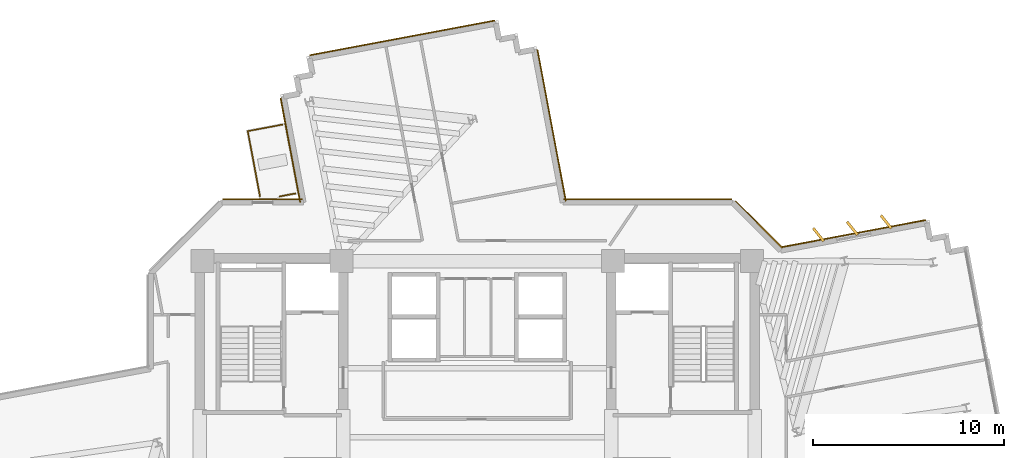
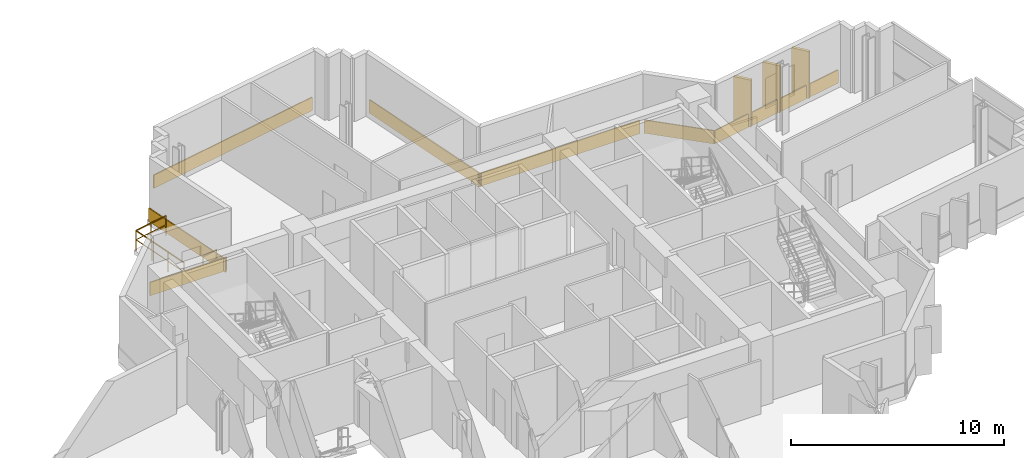
# One storey, part 16 of 16: 10 coverings, 3 railings.
"""IFC4 building model written with IfcOpenShell, lengths in metres."""

from ifc_helpers import new_model, si_unit, direction, frame, origin, origin_2d, place, context, subcontext, project, spatial, rectangle, extrude, source, transform, mapped, material, layer, layer_set, type_object, element, save


model = new_model("IFC4")

# Units and contexts
model_context = context("Model", 3, precision=1e-05, world=origin(), true_north=direction((0.0, 1.0)))
body_context = subcontext(model_context, "Body", "Model", "MODEL_VIEW")
ifc_project = project(units=[si_unit("LENGTHUNIT", "METRE"), si_unit("AREAUNIT", "SQUARE_METRE"), si_unit("VOLUMEUNIT", "CUBIC_METRE"), si_unit("PLANEANGLEUNIT", "RADIAN"), si_unit("MASSUNIT", "GRAM", prefix="KILO")], contexts=[model_context])

# Site, building, storey
site_placement = place(None, origin())
site = spatial("IfcSite", under=ifc_project, at=site_placement, CompositionType="ELEMENT")
building_placement = place(site_placement, origin())
building = spatial("IfcBuilding", under=site, at=building_placement, Name="Zahravan Cultural Tower", CompositionType="ELEMENT")
storey_placement = place(building_placement, frame((0.0, 0.0, 155.10009765625)))
storey = spatial("IfcBuildingStorey", under=building, at=storey_placement, Name="L35", CompositionType="ELEMENT", Elevation=155.10009765625)

# Railings
ifc_material_1 = material(Name="Steel ASTM A572 Grade 50", Category="steel")
railing_type = type_object("IfcRailingType", Name="RL-BAL-1150", PredefinedType="BALUSTRADE", material=ifc_material_1)
railing_1_placement = place(storey_placement, frame((24.01123046875, 42.9912109375, 0.0)))
element("IfcRailing", 1, at=railing_1_placement, inside=storey, type_object=railing_type, Name="L35 Edge Balustrade GRD-TR-L35-NW-01", PredefinedType="BALUSTRADE", context=body_context, shape_type="SweptSolid", body=[
    extrude(rectangle(XDim=0.05, YDim=0.05, at=origin_2d()), frame((0.0, 0.0, 1.125), z_axis=(0.98278843224, 0.184734667714, 0.0), x_axis=(-0.184734667714, 0.98278843224, 0.0)), (0.0, 0.0, 1.0), 1.85009765625),
    extrude(rectangle(XDim=0.032, YDim=0.032, at=origin_2d()), frame((0.0, 0.0, 0.597900390625), z_axis=(0.98278843224, 0.184734667714, 0.0), x_axis=(-0.184734667714, 0.98278843224, 0.0)), (0.0, 0.0, 1.0), 1.85009765625),
    extrude(rectangle(XDim=0.04, YDim=0.04, at=origin_2d()), origin(), (0.0, 0.0, 1.0), 1.14990234375),
    extrude(rectangle(XDim=0.04, YDim=0.04, at=origin_2d()), frame((0.9091796875, 0.1708984375, 0.0)), (0.0, 0.0, 1.0), 1.14990234375),
    extrude(rectangle(XDim=0.04, YDim=0.04, at=origin_2d()), frame((1.818359375, 0.341796875, 0.0)), (0.0, 0.0, 1.0), 1.14990234375),
])
railing_2_placement = place(storey_placement, frame((26.505126953125, 39.73583984375, 0.0)))
element("IfcRailing", 2, at=railing_2_placement, inside=storey, type_object=railing_type, Name="L35 Edge Balustrade GRD-TR-L35-NW-02", PredefinedType="BALUSTRADE", context=body_context, shape_type="SweptSolid", body=[
    extrude(rectangle(XDim=0.05, YDim=0.05, at=origin_2d()), frame((0.0, 0.0, 1.125), z_axis=(-0.982836160253, -0.184480573769, 0.0), x_axis=(0.184480573769, -0.982836160253, 0.0)), (0.0, 0.0, 1.0), 0.84423828125),
    extrude(rectangle(XDim=0.032, YDim=0.032, at=origin_2d()), frame((0.0, 0.0, 0.597900390625), z_axis=(-0.982836160253, -0.184480573769, 0.0), x_axis=(0.184480573769, -0.982836160253, 0.0)), (0.0, 0.0, 1.0), 0.84423828125),
    extrude(rectangle(XDim=0.04, YDim=0.04, at=origin_2d()), origin(), (0.0, 0.0, 1.0), 1.14990234375),
    extrude(rectangle(XDim=0.04, YDim=0.04, at=origin_2d()), frame((-0.829833984375, -0.15576171875, 0.0)), (0.0, 0.0, 1.0), 1.14990234375),
])
railing_3_placement = place(storey_placement, frame((24.652099609375, 39.580078125, 0.0)))
element("IfcRailing", 3, at=railing_3_placement, inside=storey, type_object=railing_type, Name="L35 Edge Balustrade GRD-TR-L35-NW-03", PredefinedType="BALUSTRADE", context=body_context, shape_type="SweptSolid", body=[
    extrude(rectangle(XDim=0.05, YDim=0.05, at=origin_2d()), frame((0.0, 0.0, 1.125), z_axis=(-0.184645271511, 0.982805231828, 0.0), x_axis=(-0.982805231828, -0.184645271511, 0.0)), (0.0, 0.0, 1.0), 3.470703125),
    extrude(rectangle(XDim=0.032, YDim=0.032, at=origin_2d()), frame((0.0, 0.0, 0.597900390625), z_axis=(-0.184645271511, 0.982805231828, 0.0), x_axis=(-0.982805231828, -0.184645271511, 0.0)), (0.0, 0.0, 1.0), 3.470703125),
    extrude(rectangle(XDim=0.04, YDim=0.04, at=origin_2d()), origin(), (0.0, 0.0, 1.0), 1.14990234375),
    extrude(rectangle(XDim=0.04, YDim=0.04, at=origin_2d()), frame((-0.213623046875, 1.136962890625, 0.0)), (0.0, 0.0, 1.0), 1.14990234375),
    extrude(rectangle(XDim=0.04, YDim=0.04, at=origin_2d()), frame((-0.42724609375, 2.274169921875, 0.0)), (0.0, 0.0, 1.0), 1.14990234375),
    extrude(rectangle(XDim=0.04, YDim=0.04, at=origin_2d()), frame((-0.640869140625, 3.4111328125, 0.0)), (0.0, 0.0, 1.0), 1.14990234375),
])

# Coverings
ifc_material_2 = material(Name="Terracotta ceramic cladding", Category="masonry")
ifc_layer = layer(ifc_material_2, 0.06005859375)
ifc_layer_set = layer_set([ifc_layer], Name="Terracotta ceramic cladding")
covering_type = type_object("IfcCoveringType", Name="COV-CLAD-TC60", PredefinedType="CLADDING", material=ifc_layer_set)
shared_shape_1 = source(origin(), body_context, "Body", "SweptSolid", [
    extrude(rectangle(XDim=9.820068359375, YDim=0.06005859375, at=origin_2d()), origin(), (0.0, 0.0, 1.0), 0.760009765625),
])
covering_1_placement = place(storey_placement, frame((32.0810546875, 47.860107421875, 0.02001953125), z_axis=(0.0, 0.0, 1.0), x_axis=(0.982806687355, 0.184637524056, 0.0)))
element("IfcCovering", 4, at=covering_1_placement, inside=storey, type_object=covering_type, Name="L35 Terracotta Spandrel Cladding 45", PredefinedType="CLADDING", context=body_context, shape_type="MappedRepresentation", body=[
    mapped(shared_shape_1, transform((0.0, 0.0, 0.0), x_axis=(1.0, 0.0, 0.0), y_axis=(0.0, 1.0, 0.0), z_axis=(0.0, 0.0, 1.0), scale=1.0)),
])
shared_shape_2 = source(origin(), body_context, "Body", "SweptSolid", [
    extrude(rectangle(XDim=0.8798828125, YDim=0.139892578125, at=origin_2d()), origin(), (0.0, 0.0, 1.0), 2.699951171875),
])
for number, where, z_axis, x_axis, name in (
    (5, (53.82080078125, 37.58251953125, 0.0498046875), (0.0, 0.0, 1.0), (-0.624425048846, 0.781084731878, 0.0), "L35 Herringbone Terracotta Fin 01"),
    (6, (55.58984375, 37.914794921875, 0.0498046875), (0.0, 0.0, 1.0), (-0.624425048846, 0.781084731878, 0.0), "L35 Herringbone Terracotta Fin 02"),
    (7, (57.35888671875, 38.2470703125, 0.0498046875), (0.0, 0.0, 1.0), (-0.624425048846, 0.781084731878, 0.0), "L35 Herringbone Terracotta Fin 03"),
):
    element("IfcCovering", number, at=place(storey_placement, frame(where, z_axis=z_axis, x_axis=x_axis)), inside=storey, type_object=covering_type, Name=name, PredefinedType="CLADDING", context=body_context, shape_type="MappedRepresentation", body=[
        mapped(shared_shape_2, transform((0.0, 0.0, 0.0), x_axis=(1.0, 0.0, 0.0), y_axis=(0.0, 1.0, 0.0), z_axis=(0.0, 0.0, 1.0), scale=1.0)),
    ])
shared_shape_3 = source(origin(), body_context, "Body", "SweptSolid", [
    extrude(rectangle(XDim=7.683349609375, YDim=0.06005859375, at=origin_2d()), origin(), (0.0, 0.0, 1.0), 0.760009765625),
])
covering_2_placement = place(storey_placement, frame((55.642333984375, 37.634521484375, 0.02001953125), z_axis=(0.0, 0.0, 1.0), x_axis=(0.982806687355, 0.184637524056, 0.0)))
element("IfcCovering", 8, at=covering_2_placement, inside=storey, type_object=covering_type, Name="L35 Terracotta Spandrel Cladding 01", PredefinedType="CLADDING", context=body_context, shape_type="MappedRepresentation", body=[
    mapped(shared_shape_3, transform((0.0, 0.0, 0.0), x_axis=(1.0, 0.0, 0.0), y_axis=(0.0, 1.0, 0.0), z_axis=(0.0, 0.0, 1.0), scale=1.0)),
])
shared_shape_4 = source(origin(), body_context, "Body", "SweptSolid", [
    extrude(rectangle(XDim=4.162353515625, YDim=0.06005859375, at=origin_2d()), origin(), (0.0, 0.0, 1.0), 0.760009765625),
])
covering_3_placement = place(storey_placement, frame((24.7890625, 39.425048828125, 0.02001953125), z_axis=(0.0, 0.0, 1.0), x_axis=(1.0, 0.0, 0.0)))
element("IfcCovering", 9, at=covering_3_placement, inside=storey, type_object=covering_type, Name="L35 Terracotta Spandrel Cladding 39", PredefinedType="CLADDING", context=body_context, shape_type="MappedRepresentation", body=[
    mapped(shared_shape_4, transform((0.0, 0.0, 0.0), x_axis=(1.0, 0.0, 0.0), y_axis=(0.0, 1.0, 0.0), z_axis=(0.0, 0.0, 1.0), scale=1.0)),
])
shared_shape_5 = source(origin(), body_context, "Body", "SweptSolid", [
    extrude(rectangle(XDim=5.5341796875, YDim=0.06005859375, at=origin_2d()), origin(), (0.0, 0.0, 1.0), 0.760009765625),
])
covering_4_placement = place(storey_placement, frame((26.23779296875, 41.998291015625, 0.02001953125), z_axis=(0.0, 0.0, 1.0), x_axis=(-0.184654677241, 0.982803464673, 0.0)))
element("IfcCovering", 10, at=covering_4_placement, inside=storey, type_object=covering_type, Name="L35 Terracotta Spandrel Cladding 40", PredefinedType="CLADDING", context=body_context, shape_type="MappedRepresentation", body=[
    mapped(shared_shape_5, transform((0.0, 0.0, 0.0), x_axis=(1.0, 0.0, 0.0), y_axis=(0.0, 1.0, 0.0), z_axis=(0.0, 0.0, 1.0), scale=1.0)),
])
shared_shape_6 = source(origin(), body_context, "Body", "SweptSolid", [
    extrude(rectangle(XDim=8.03662109375, YDim=0.06005859375, at=origin_2d()), origin(), (0.0, 0.0, 1.0), 0.760009765625),
])
covering_5_placement = place(storey_placement, frame((39.88427734375, 43.288818359375, 0.02001953125), z_axis=(0.0, 0.0, 1.0), x_axis=(0.184637524056, -0.982806687355, 0.0)))
element("IfcCovering", 11, at=covering_5_placement, inside=storey, type_object=covering_type, Name="L35 Terracotta Spandrel Cladding 50", PredefinedType="CLADDING", context=body_context, shape_type="MappedRepresentation", body=[
    mapped(shared_shape_6, transform((0.0, 0.0, 0.0), x_axis=(1.0, 0.0, 0.0), y_axis=(0.0, 1.0, 0.0), z_axis=(0.0, 0.0, 1.0), scale=1.0)),
])
shared_shape_7 = source(origin(), body_context, "Body", "SweptSolid", [
    extrude(rectangle(XDim=8.768798828125, YDim=0.06005859375, at=origin_2d()), origin(), (0.0, 0.0, 1.0), 0.760009765625),
])
covering_6_placement = place(storey_placement, frame((44.90771484375, 39.425048828125, 0.02001953125), z_axis=(0.0, 0.0, 1.0), x_axis=(1.0, 0.0, 0.0)))
element("IfcCovering", 12, at=covering_6_placement, inside=storey, type_object=covering_type, Name="L35 Terracotta Spandrel Cladding 51", PredefinedType="CLADDING", context=body_context, shape_type="MappedRepresentation", body=[
    mapped(shared_shape_7, transform((0.0, 0.0, 0.0), x_axis=(1.0, 0.0, 0.0), y_axis=(0.0, 1.0, 0.0), z_axis=(0.0, 0.0, 1.0), scale=1.0)),
])
shared_shape_8 = source(origin(), body_context, "Body", "SweptSolid", [
    extrude(rectangle(XDim=3.444091796875, YDim=0.06005859375, at=origin_2d()), origin(), (0.0, 0.0, 1.0), 0.760009765625),
])
covering_7_placement = place(storey_placement, frame((50.711669921875, 38.12353515625, 0.02001953125), z_axis=(0.0, 0.0, 1.0), x_axis=(0.707106781187, -0.707106781187, 0.0)))
element("IfcCovering", 13, at=covering_7_placement, inside=storey, type_object=covering_type, Name="L35 Terracotta Spandrel Cladding 52", PredefinedType="CLADDING", context=body_context, shape_type="MappedRepresentation", body=[
    mapped(shared_shape_8, transform((0.0, 0.0, 0.0), x_axis=(1.0, 0.0, 0.0), y_axis=(0.0, 1.0, 0.0), z_axis=(0.0, 0.0, 1.0), scale=1.0)),
])

save(model, "model.ifc")
